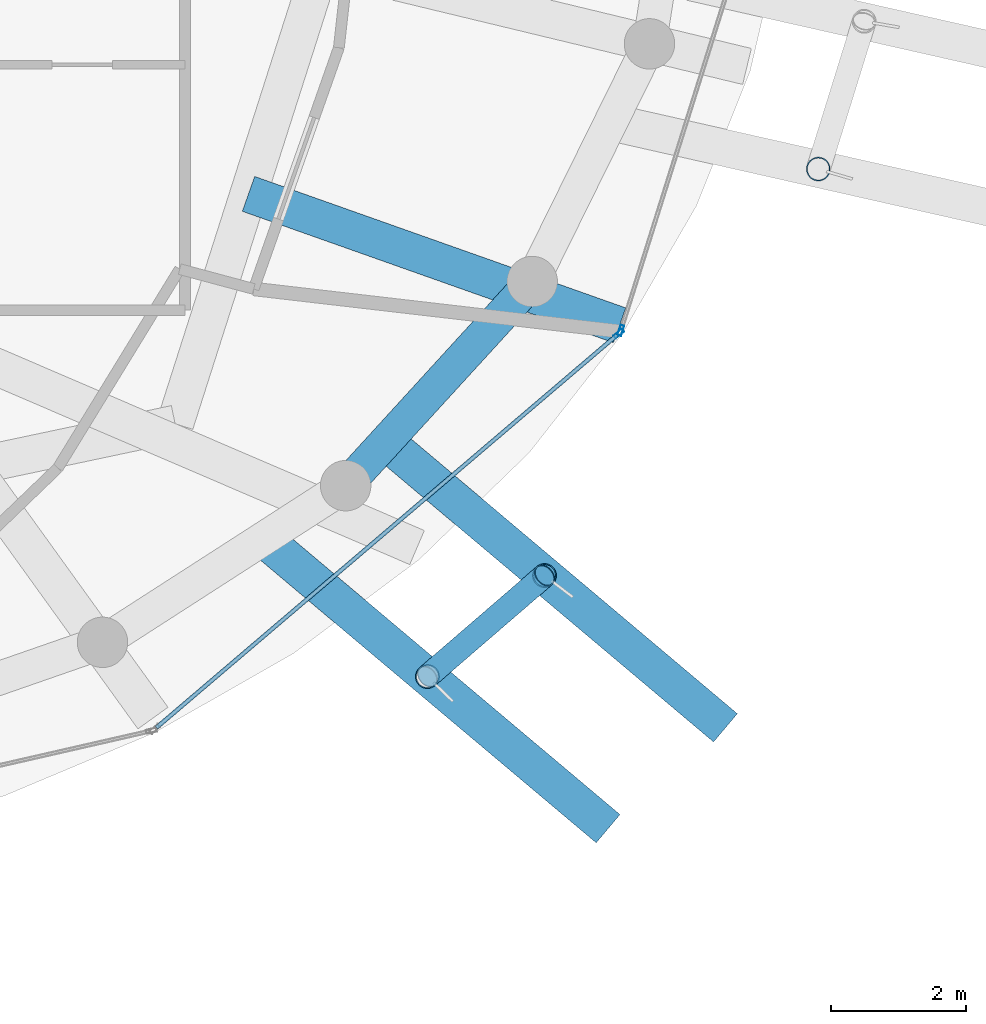
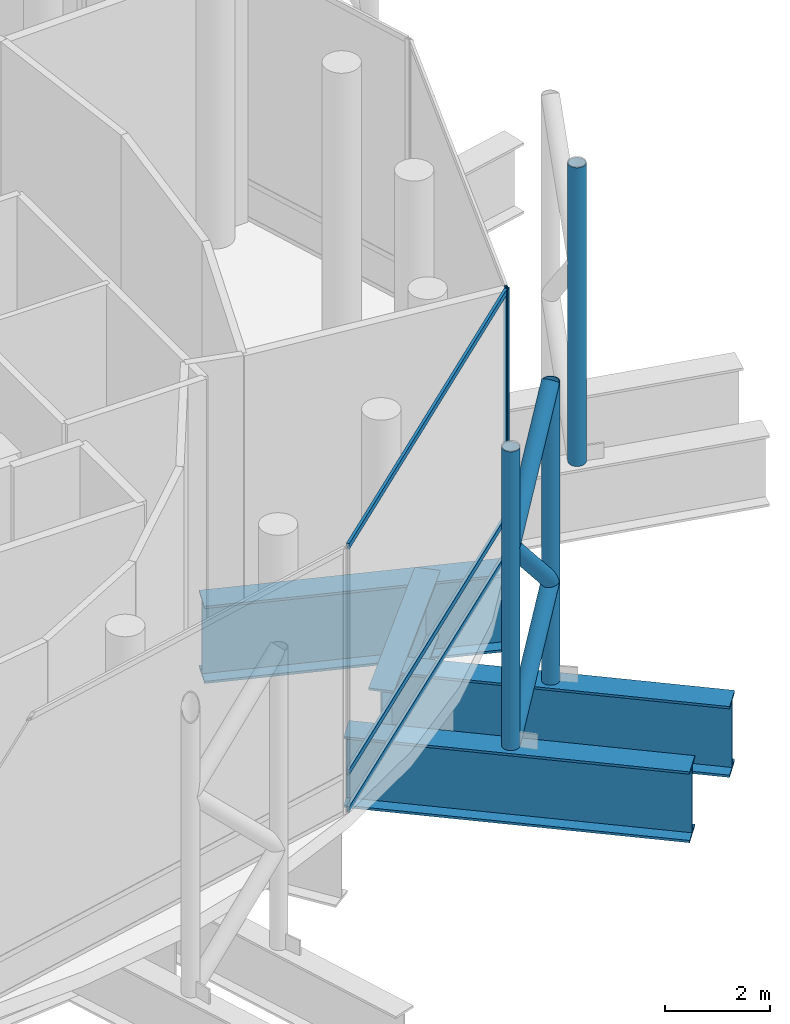
# One storey, part 14 of 26: 11 members, 4 beams, 2 elements without a shape of their own.
"""IFC4 building model written with IfcOpenShell, lengths in metres."""

import ifcopenshell
import ifcopenshell.guid

model = None  # the IFC model being written
_history = None  # IfcOwnerHistory: only IFC2X3 demands one
_inside = {}  # id of a spatial element -> (the spatial element, [elements in it])
_under = {}  # id of a project, library or spatial element -> (it, [spatial elements below it])
_declared = {}  # id of a project -> (the project, [libraries it declares])
_typed = {}  # id of a type object -> (the type object, [elements of that type])
_made_of = {}  # id of a material, layer set ... -> (it, [elements and type objects made of it])


def new_model(schema):
    """Start an empty IFC model of exactly this schema.

    Asked for "IFC4X3", IfcOpenShell would pick the latest addendum, in which some entities
    have other attributes; the version numbers below select the first issue.
    IFC2X3 requires an IfcOwnerHistory on every rooted entity: one is made here for all.
    """
    global model, _history
    if schema == "IFC4X3":
        model = ifcopenshell.file(schema_version=(4, 3, 0, 0))
    else:
        model = ifcopenshell.file(schema=schema)
    _inside.clear()
    _under.clear()
    _declared.clear()
    _typed.clear()
    _made_of.clear()
    _history = None
    if model.schema == "IFC2X3":
        org = make("IfcOrganization", Name="unknown")
        user = make(
            "IfcPersonAndOrganization",
            ThePerson=make("IfcPerson", FamilyName="unknown"),
            TheOrganization=org,
        )
        app = make(
            "IfcApplication",
            ApplicationDeveloper=org,
            Version="unknown",
            ApplicationFullName="unknown",
            ApplicationIdentifier="unknown",
        )
        _history = make(
            "IfcOwnerHistory",
            OwningUser=user,
            OwningApplication=app,
            ChangeAction="ADDED",
            CreationDate=0,
        )
    return model


def make(cls, **values):
    """One entity of the class cls with the attributes given. An attribute that is None is left unset."""
    return model.create_entity(
        cls, **{name: value for name, value in values.items() if value is not None}
    )


def rooted(cls, **values):
    """An entity with a GlobalId (a new one), such as an element, a storey or a relation."""
    return make(cls, GlobalId=ifcopenshell.guid.new(), OwnerHistory=_history, **values)


def si_unit(unit_type, name, prefix=None):
    """IfcSIUnit, for example si_unit("LENGTHUNIT", "METRE", prefix="MILLI")."""
    return make("IfcSIUnit", UnitType=unit_type, Prefix=prefix, Name=name)


def assignment(units):
    """IfcUnitAssignment: the units of a project."""
    return None if units is None else make("IfcUnitAssignment", Units=units)


def point(xyz):
    """IfcCartesianPoint."""
    return None if xyz is None else make("IfcCartesianPoint", Coordinates=xyz)


def direction(xyz):
    """IfcDirection."""
    return None if xyz is None else make("IfcDirection", DirectionRatios=xyz)


def frame(location, z_axis=None, x_axis=None):
    """IfcAxis2Placement3D, a coordinate frame: its origin and axes. An axis left out is left unset."""
    return make(
        "IfcAxis2Placement3D",
        Location=point(location),
        Axis=direction(z_axis),
        RefDirection=direction(x_axis),
    )


def frame_2d(location, x_axis=None):
    """IfcAxis2Placement2D, a coordinate frame in the plane: its origin and x axis."""
    return make(
        "IfcAxis2Placement2D", Location=point(location), RefDirection=direction(x_axis)
    )


def origin():
    """The frame at (0, 0, 0) with its axes left unset."""
    return frame((0.0, 0.0, 0.0))


def origin_2d():
    """The frame at (0, 0) in the plane with its x axis left unset."""
    return frame_2d((0.0, 0.0))


def place(relative_to, where):
    """IfcLocalPlacement: puts the frame where relative to a parent placement (None: the world)."""
    return make(
        "IfcLocalPlacement", PlacementRelTo=relative_to, RelativePlacement=where
    )


def context(
    kind, dimensions, precision=None, world=None, true_north=None, identifier=None
):
    """IfcGeometricRepresentationContext, for example the 3D "Model" context."""
    return make(
        "IfcGeometricRepresentationContext",
        ContextIdentifier=identifier,
        ContextType=kind,
        CoordinateSpaceDimension=dimensions,
        Precision=precision,
        WorldCoordinateSystem=world,
        TrueNorth=true_north,
    )


def subcontext(parent, identifier, kind, view, scale=None):
    """IfcGeometricRepresentationSubContext, for example "Body" below "Model"."""
    return make(
        "IfcGeometricRepresentationSubContext",
        ContextIdentifier=identifier,
        ContextType=kind,
        ParentContext=parent,
        TargetScale=scale,
        TargetView=view,
    )


def project(units=None, contexts=None):
    """IfcProject with its units and contexts."""
    return rooted(
        "IfcProject",
        Name="project",
        RepresentationContexts=contexts,
        UnitsInContext=assignment(units),
    )


def spatial(cls, under=None, at=None, **own):
    """A site, building, storey or space (cls), placed at a placement, below another one or the project."""
    s = rooted(cls, ObjectPlacement=at, **own)
    if under is not None:
        _under.setdefault(under.id(), (under, []))[1].append(s)
    return s


def profile(cls, at=None, kind="AREA", **sizes):
    """A parametric profile (cls). Its sizes go by their IFC names, for example OverallWidth=200.0."""
    return make(cls, ProfileType=kind, Position=at, **sizes)


def hollow_rectangle(**sizes):
    """IfcRectangleHollowProfileDef."""
    return profile("IfcRectangleHollowProfileDef", **sizes)


def hollow_circle(**sizes):
    """IfcCircleHollowProfileDef."""
    return profile("IfcCircleHollowProfileDef", **sizes)


def i_section(**sizes):
    """IfcIShapeProfileDef."""
    return profile("IfcIShapeProfileDef", **sizes)


def extrude(swept, where, along, depth):
    """IfcExtrudedAreaSolid: the profile swept, set in the frame where, extruded along a direction by depth."""
    return make(
        "IfcExtrudedAreaSolid",
        SweptArea=swept,
        Position=where,
        ExtrudedDirection=direction(along),
        Depth=depth,
    )


def shape(context_of_items, identifier, shape_type, items):
    """IfcShapeRepresentation: the items that make up one representation, for example the "Body"."""
    return make(
        "IfcShapeRepresentation",
        ContextOfItems=context_of_items,
        RepresentationIdentifier=identifier,
        RepresentationType=shape_type,
        Items=items,
    )


def material(Name=None, Category=None):
    """IfcMaterial."""
    return make("IfcMaterial", Name=Name, Category=Category)


def layer(
    of_material, thickness, ventilated=None, Name=None, Category=None, Priority=None
):
    """IfcMaterialLayer: one layer of a wall or slab, of a material (None: an air gap)."""
    return make(
        "IfcMaterialLayer",
        Material=of_material,
        LayerThickness=thickness,
        IsVentilated=ventilated,
        Name=Name,
        Category=Category,
        Priority=Priority,
    )


def layer_set(layers, Name=None):
    """IfcMaterialLayerSet."""
    return make("IfcMaterialLayerSet", MaterialLayers=layers, LayerSetName=Name)


def material_profile(
    of_material, cross_section, Name=None, Category=None, Priority=None
):
    """IfcMaterialProfile: a cross section and its material."""
    return make(
        "IfcMaterialProfile",
        Name=Name,
        Material=of_material,
        Profile=cross_section,
        Priority=Priority,
        Category=Category,
    )


def profile_set(profiles, Name=None, composite=None):
    """IfcMaterialProfileSet."""
    return make(
        "IfcMaterialProfileSet",
        Name=Name,
        MaterialProfiles=profiles,
        CompositeProfile=composite,
    )


def made_of(thing, what):
    """Note that an element or type object is made of a material, layer set ...; save() writes the relation."""
    if what is not None:
        _made_of.setdefault(what.id(), (what, []))[1].append(thing)
    return thing


def type_object(cls, material=None, **own):
    """A type object (cls), such as IfcWallType, which elements share."""
    return made_of(rooted(cls, **own), material)


def element(
    cls,
    number,
    at=None,
    inside=None,
    cuts=None,
    type_object=None,
    material=None,
    context=None,
    identifier="Body",
    shape_type=None,
    held_by="IfcProductDefinitionShape",
    body=None,
    shapes=None,
    **own,
):
    """One element of the class cls, such as IfcWall. Its Tag is "e" and its number.

    at: its placement. inside: the storey or other place that contains it. cuts: it is an
    opening in that element (IfcRelVoidsElement). A single representation is given by context,
    identifier, shape_type and body (its items); several are given by shapes. held_by: the class
    of the entity that holds the representations. save() writes the other relations.
    """
    e = rooted(cls, Tag="e%d" % number, ObjectPlacement=at, **own)
    if body is not None:
        shapes = [shape(context, identifier, shape_type, body)]
    if shapes is not None:
        e.Representation = make(held_by, Representations=shapes)
    if inside is not None:
        _inside.setdefault(inside.id(), (inside, []))[1].append(e)
    if cuts is not None:
        rooted(
            "IfcRelVoidsElement", RelatingBuildingElement=cuts, RelatedOpeningElement=e
        )
    if type_object is not None:
        _typed.setdefault(type_object.id(), (type_object, []))[1].append(e)
    return made_of(e, material)


def aggregate(whole, parts):
    """IfcRelAggregates: a whole, such as a stair, and the parts it consists of."""
    return rooted("IfcRelAggregates", RelatingObject=whole, RelatedObjects=parts)


def save(model, path):
    """Write the relations noted so far, then the file.

    IfcRelAggregates (storeys below a building ...), IfcRelContainedInSpatialStructure (elements
    in a storey), IfcRelDefinesByType, IfcRelAssociatesMaterial and IfcRelDeclares: one each for
    every whole, place, type object, material and project.
    """
    for whole, parts in _under.values():
        aggregate(whole, parts)
    for where, things in _inside.values():
        rooted(
            "IfcRelContainedInSpatialStructure",
            RelatedElements=things,
            RelatingStructure=where,
        )
    for kind, things in _typed.values():
        rooted("IfcRelDefinesByType", RelatedObjects=things, RelatingType=kind)
    for what, things in _made_of.values():
        rooted("IfcRelAssociatesMaterial", RelatedObjects=things, RelatingMaterial=what)
    for by, libraries in _declared.values():
        rooted("IfcRelDeclares", RelatingContext=by, RelatedDefinitions=libraries)
    model.write(path)


model = new_model("IFC4")

# Units and contexts
model_context = context("Model", 3, precision=1e-05, world=origin(), true_north=direction((0.0, 1.0)))
body_context = subcontext(model_context, "Body", "Model", "MODEL_VIEW")
ifc_project = project(units=[si_unit("LENGTHUNIT", "METRE"), si_unit("AREAUNIT", "SQUARE_METRE"), si_unit("VOLUMEUNIT", "CUBIC_METRE"), si_unit("PLANEANGLEUNIT", "RADIAN"), si_unit("MASSUNIT", "GRAM", prefix="KILO")], contexts=[model_context])

# Site, building, storey
site_placement = place(None, origin())
site = spatial("IfcSite", under=ifc_project, at=site_placement, CompositionType="ELEMENT")
building_placement = place(site_placement, origin())
building = spatial("IfcBuilding", under=site, at=building_placement, Name="Nuhasar Tower", CompositionType="ELEMENT")
storey_placement = place(building_placement, frame((0.0, 0.0, 306.800048828125)))
storey = spatial("IfcBuildingStorey", under=building, at=storey_placement, Name="L76", CompositionType="ELEMENT", Elevation=306.800048828125)

# Beams
ifc_material_1 = material(Name="Steel S460", Category="steel")
ifc_material_profile_1 = material_profile(ifc_material_1, i_section(OverallWidth=0.5, OverallDepth=1.449951171875, WebThickness=0.028076171875, FlangeThickness=0.050048828125, at=origin_2d()), Name="PG1450X500")
ifc_profile_set_1 = profile_set([ifc_material_profile_1], Name="Steel S460")
beam_type_1 = type_object("IfcBeamType", Name="BM-XFER-PG1450", PredefinedType="USERDEFINED", material=ifc_profile_set_1)
beam_1_placement = place(storey_placement, frame((51.339111328125, 16.44091796875, -1.074951171875), z_axis=(0.674615744009, 0.738169084922, 0.0), x_axis=(-0.738169084922, 0.674615744009, 0.0)))
element("IfcBeam", 1, at=beam_1_placement, inside=storey, type_object=beam_type_1, Name="L76 Perimeter Ring Spandrel 22", ObjectType="GIRDER", PredefinedType="USERDEFINED", context=body_context, shape_type="SweptSolid", body=[
    extrude(i_section(OverallWidth=0.5, OverallDepth=1.449951171875, WebThickness=0.028076171875, FlangeThickness=0.050048828125, at=origin_2d()), origin(), (0.0, 0.0, 1.0), 4.1103515625),
])
ifc_material_profile_2 = material_profile(ifc_material_1, i_section(OverallWidth=0.550048828125, OverallDepth=1.64990234375, WebThickness=0.031982421875, FlangeThickness=0.054931640625, at=origin_2d()), Name="PG1650X550")
ifc_profile_set_2 = profile_set([ifc_material_profile_2], Name="Steel S460")
beam_type_2 = type_object("IfcBeamType", Name="BM-XFER-PG1650", PredefinedType="USERDEFINED", material=ifc_profile_set_2)
beam_2_placement = place(storey_placement, frame((50.117919921875, 15.655029296875, -1.175048828125), z_axis=(0.765007637998, -0.644021206021, 0.0), x_axis=(0.644021206021, 0.765007637998, 0.0)))
element("IfcBeam", 2, at=beam_2_placement, inside=storey, type_object=beam_type_2, Name="L76 Exoskeleton Step Transfer Girder 21", ObjectType="GIRDER", PredefinedType="USERDEFINED", context=body_context, shape_type="SweptSolid", body=[
    extrude(i_section(OverallWidth=0.550048828125, OverallDepth=1.64990234375, WebThickness=0.031982421875, FlangeThickness=0.054931640625, at=origin_2d()), origin(), (0.0, 0.0, 1.0), 6.695556640625),
])
beam_3_placement = place(storey_placement, frame((51.93603515625, 17.093994140625, -1.175048828125), z_axis=(0.764826777632, -0.644235981778, 0.0), x_axis=(0.644235981778, 0.764826777632, 0.0)))
element("IfcBeam", 3, at=beam_3_placement, inside=storey, type_object=beam_type_2, Name="L76 Exoskeleton Step Transfer Girder 22", ObjectType="GIRDER", PredefinedType="USERDEFINED", context=body_context, shape_type="SweptSolid", body=[
    extrude(i_section(OverallWidth=0.550048828125, OverallDepth=1.64990234375, WebThickness=0.031982421875, FlangeThickness=0.054931640625, at=origin_2d()), origin(), (0.0, 0.0, 1.0), 6.60009765625),
])
ifc_material_profile_3 = material_profile(ifc_material_1, i_section(OverallWidth=0.550048828125, OverallDepth=1.800048828125, WebThickness=0.031982421875, FlangeThickness=0.054931640625, at=origin_2d()), Name="PG1800X550")
ifc_profile_set_3 = profile_set([ifc_material_profile_3], Name="Steel S460")
beam_type_3 = type_object("IfcBeamType", Name="BM-XFER-PG1800", PredefinedType="USERDEFINED", material=ifc_profile_set_3)
beam_4_placement = place(storey_placement, frame((49.89501953125, 20.778076171875, -1.25), z_axis=(0.942649379919, -0.333784581036, 0.0), x_axis=(0.333784581036, 0.942649379919, 0.0)))
element("IfcBeam", 4, at=beam_4_placement, inside=storey, type_object=beam_type_3, Name="L76 Inner Column Transfer Girder 23", ObjectType="GIRDER", PredefinedType="USERDEFINED", context=body_context, shape_type="SweptSolid", body=[
    extrude(i_section(OverallWidth=0.550048828125, OverallDepth=1.800048828125, WebThickness=0.031982421875, FlangeThickness=0.054931640625, at=origin_2d()), origin(), (0.0, 0.0, 1.0), 5.8515625),
])

# Curtain wall, member
ifc_material_2 = material(Name="Aluminium 6063-T6", Category="aluminium")
ifc_layer = layer(ifc_material_2, 0.239990234375)
ifc_layer_set = layer_set([ifc_layer], Name="Aluminium 6063-T6")
curtain_wall_type = type_object("IfcCurtainWallType", Name="CW-SKY-LBY", PredefinedType="NOTDEFINED", material=ifc_layer_set)
curtain_wall_1_placement = place(storey_placement, origin())
curtain_wall_1 = element("IfcCurtainWall", 5, at=curtain_wall_1_placement, inside=storey, type_object=curtain_wall_type, Name="L76 Unitised Curtain Wall 11", PredefinedType="NOTDEFINED")
ifc_material_profile_4 = material_profile(ifc_material_2, hollow_rectangle(XDim=0.06005859375, YDim=0.159912109375, WallThickness=0.0048828125, at=origin_2d()), Name="CWM-6")
ifc_profile_set_4 = profile_set([ifc_material_profile_4], Name="Aluminium 6063-T6")
member_type_1 = type_object("IfcMemberType", Name="CW-MUL-S6", PredefinedType="MULLION", material=ifc_profile_set_4)
member_1_placement = place(storey_placement, frame((55.397216796875, 18.700439453125, 0.0), z_axis=(0.0, 0.0, 1.0), x_axis=(-0.648666497118, 0.761072779382, 0.0)))
member_1 = element("IfcMember", 6, at=member_1_placement, type_object=member_type_1, Name="CW-SL mullion 2", PredefinedType="MULLION", context=body_context, shape_type="SweptSolid", body=[
    extrude(hollow_rectangle(XDim=0.06005859375, YDim=0.159912109375, WallThickness=0.0048828125, at=origin_2d()), origin(), (0.0, 0.0, 1.0), 6.179931640625),
])

curtain_wall_2_placement = place(storey_placement, origin())
curtain_wall_2 = element("IfcCurtainWall", 7, at=curtain_wall_2_placement, inside=storey, type_object=curtain_wall_type, Name="L76 Unitised Curtain Wall 12", PredefinedType="NOTDEFINED")
member_2_placement = place(storey_placement, frame((55.428955078125, 18.74853515625, 0.0), z_axis=(0.0, 0.0, 1.0), x_axis=(-0.953974417341, 0.299887997525, 0.0)))
member_2 = element("IfcMember", 8, at=member_2_placement, type_object=member_type_1, Name="CW-SL mullion 1", PredefinedType="MULLION", context=body_context, shape_type="SweptSolid", body=[
    extrude(hollow_rectangle(XDim=0.06005859375, YDim=0.159912109375, WallThickness=0.0048828125, at=origin_2d()), origin(), (0.0, 0.0, 1.0), 6.179931640625),
])
aggregate(curtain_wall_2, [member_2])

# Member
ifc_material_profile_5 = material_profile(ifc_material_2, hollow_rectangle(XDim=0.06005859375, YDim=0.1298828125, WallThickness=0.00439453125, at=origin_2d()), Name="CWT-6")
ifc_profile_set_5 = profile_set([ifc_material_profile_5], Name="Aluminium 6063-T6")
member_type_2 = type_object("IfcMemberType", Name="CW-TRN-S6", PredefinedType="USERDEFINED", material=ifc_profile_set_5)
member_3_placement = place(storey_placement, frame((48.525634765625, 12.843994140625, 0.030029296875), z_axis=(0.761071081007, 0.648668489797, 0.0), x_axis=(-0.648668489797, 0.761071081007, 0.0)))
member_3 = element("IfcMember", 9, at=member_3_placement, type_object=member_type_2, Name="CW-SL transom 1.1", ObjectType="TRANSOM", PredefinedType="USERDEFINED", context=body_context, shape_type="SweptSolid", body=[
    extrude(hollow_rectangle(XDim=0.06005859375, YDim=0.1298828125, WallThickness=0.00439453125, at=origin_2d()), origin(), (0.0, 0.0, 1.0), 8.998779296875),
])

member_4_placement = place(storey_placement, frame((48.525634765625, 12.843994140625, 0.89990234375), z_axis=(0.761071081007, 0.648668489797, 0.0), x_axis=(-0.648668489797, 0.761071081007, 0.0)))
member_4 = element("IfcMember", 10, at=member_4_placement, type_object=member_type_2, Name="CW-SL transom 1.2", ObjectType="TRANSOM", PredefinedType="USERDEFINED", context=body_context, shape_type="SweptSolid", body=[
    extrude(hollow_rectangle(XDim=0.06005859375, YDim=0.1298828125, WallThickness=0.00439453125, at=origin_2d()), origin(), (0.0, 0.0, 1.0), 8.998779296875),
])

member_5_placement = place(storey_placement, frame((48.525634765625, 12.843994140625, 6.14990234375), z_axis=(0.761071081007, 0.648668489797, 0.0), x_axis=(-0.648668489797, 0.761071081007, 0.0)))
member_5 = element("IfcMember", 11, at=member_5_placement, type_object=member_type_2, Name="CW-SL transom 1.3", ObjectType="TRANSOM", PredefinedType="USERDEFINED", context=body_context, shape_type="SweptSolid", body=[
    extrude(hollow_rectangle(XDim=0.06005859375, YDim=0.1298828125, WallThickness=0.00439453125, at=origin_2d()), origin(), (0.0, 0.0, 1.0), 8.998779296875),
])

aggregate(curtain_wall_1, [member_1, member_3, member_4, member_5])

# Members
ifc_material_profile_6 = material_profile(ifc_material_1, hollow_circle(Radius=0.177734375, WallThickness=0.015869140625, at=origin_2d()), Name="HSS355.6X15.9")
ifc_profile_set_6 = profile_set([ifc_material_profile_6], Name="Steel S460")
member_type_3 = type_object("IfcMemberType", Name="EXO-BRONZE-356", PredefinedType="BRACE", material=ifc_profile_set_6)
for number, where, z_axis, x_axis, name in (
    (12, (52.553955078125, 13.60400390625, -0.35009765625), (0.0, 0.0, 1.0), (1.0, 0.0, 0.0), "L76 Exoskeleton Chord Column EC-11A"),
    (13, (54.2958984375, 15.10595703125, -0.35009765625), (0.0, 0.0, 1.0), (1.0, 0.0, 0.0), "L76 Exoskeleton Chord Column EC-11B"),
    (14, (58.364013671875, 21.14697265625, -0.35009765625), (0.0, 0.0, 1.0), (1.0, 0.0, 0.0), "L76 Exoskeleton Chord Column EC-12A"),
):
    element("IfcMember", number, at=place(storey_placement, frame(where, z_axis=z_axis, x_axis=x_axis)), inside=storey, type_object=member_type_3, Name=name, PredefinedType="BRACE", context=body_context, shape_type="SweptSolid", body=[
        extrude(hollow_circle(Radius=0.177734375, WallThickness=0.015869140625, at=origin_2d()), origin(), (0.0, 0.0, 1.0), 6.949951171875),
    ])
member_6_placement = place(storey_placement, frame((52.553955078125, 13.60400390625, -0.35009765625), z_axis=(0.533541781208, 0.460034903713, 0.709718997259), x_axis=(-0.653008910962, 0.757350224271, 0.0)))
element("IfcMember", 15, at=member_6_placement, inside=storey, type_object=member_type_3, Name="L76 Bronze Diagrid Brace W1-11", PredefinedType="BRACE", context=body_context, shape_type="SweptSolid", body=[
    extrude(hollow_circle(Radius=0.177734375, WallThickness=0.015869140625, at=origin_2d()), origin(), (0.0, 0.0, 1.0), 3.264892578125),
])
member_7_placement = place(storey_placement, frame((54.2958984375, 15.10595703125, 1.967041015625), z_axis=(-0.533683379422, -0.460156993722, 0.709533361906), x_axis=(0.653008910962, -0.757350224271, 0.0)))
element("IfcMember", 16, at=member_7_placement, inside=storey, type_object=member_type_3, Name="L76 Bronze Diagrid Brace W2-11", PredefinedType="BRACE", context=body_context, shape_type="SweptSolid", body=[
    extrude(hollow_circle(Radius=0.177734375, WallThickness=0.015869140625, at=origin_2d()), origin(), (0.0, 0.0, 1.0), 3.263916015625),
])
member_8_placement = place(storey_placement, frame((52.553955078125, 13.60400390625, 4.282958984375), z_axis=(0.533570097802, 0.460059319086, 0.70968188201), x_axis=(-0.653008910962, 0.757350224271, 0.0)))
element("IfcMember", 17, at=member_8_placement, inside=storey, type_object=member_type_3, Name="L76 Bronze Diagrid Brace W3-11", PredefinedType="BRACE", context=body_context, shape_type="SweptSolid", body=[
    extrude(hollow_circle(Radius=0.177734375, WallThickness=0.015869140625, at=origin_2d()), origin(), (0.0, 0.0, 1.0), 3.2646484375),
])

save(model, "model.ifc")
